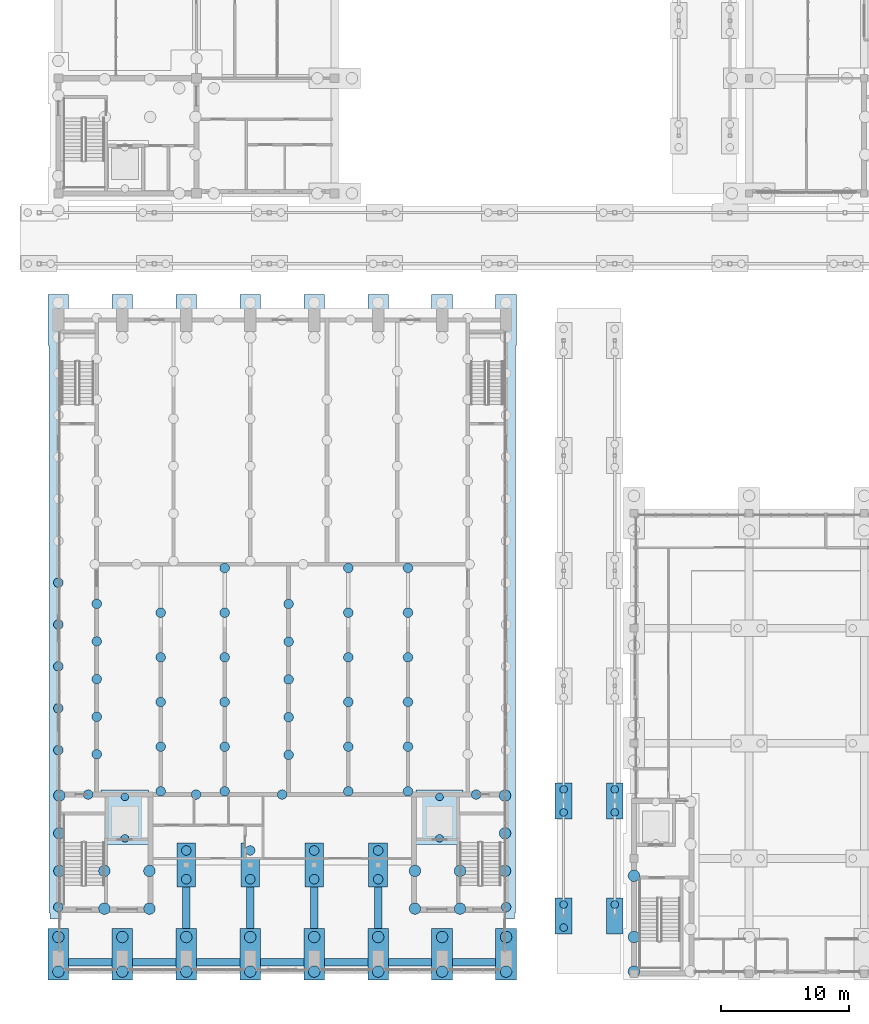
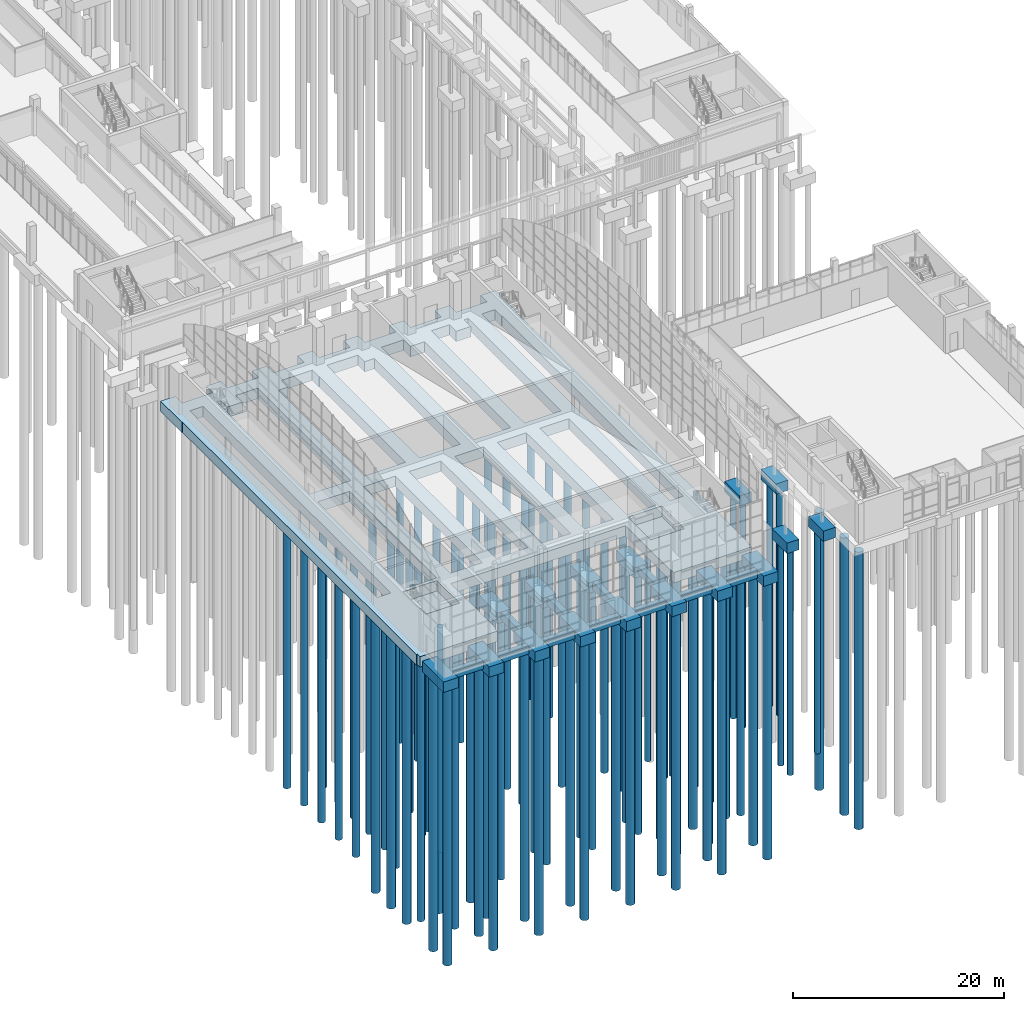
# One storey, part 1 of 106: 96 piles, 30 footings.
"""IFC4 building model written with IfcOpenShell, lengths in metres."""

from ifc_helpers import new_model, si_unit, direction, frame, origin, origin_2d, place, context, subcontext, project, spatial, polyline, circle, outline, extrude, material, material_profile, profile_set, type_object, element, save


model = new_model("IFC4")

# Units and contexts
model_context = context("Model", 3, precision=1e-05, world=origin(), true_north=direction((0.0, 1.0)))
body_context = subcontext(model_context, "Body", "Model", "MODEL_VIEW")
ifc_project = project(units=[si_unit("LENGTHUNIT", "METRE"), si_unit("AREAUNIT", "SQUARE_METRE"), si_unit("VOLUMEUNIT", "CUBIC_METRE"), si_unit("PLANEANGLEUNIT", "RADIAN"), si_unit("MASSUNIT", "GRAM", prefix="KILO")], contexts=[model_context])

# Site, building, storey
site_placement = place(None, origin())
site = spatial("IfcSite", under=ifc_project, at=site_placement, CompositionType="ELEMENT")
building_placement = place(site_placement, origin())
building = spatial("IfcBuilding", under=site, at=building_placement, Name="Merrow Basin Faculty of Sciences", CompositionType="ELEMENT")
storey_placement = place(building_placement, origin())
storey = spatial("IfcBuildingStorey", under=building, at=storey_placement, Name="L00", CompositionType="ELEMENT", Elevation=0.0)

# Piles
ifc_material_1 = material(Name="Concrete C40/50", Category="concrete")
ifc_material_profile_1 = material_profile(ifc_material_1, circle(Radius=0.300048828125, at=origin_2d()))
ifc_profile_set_1 = profile_set([ifc_material_profile_1], Name="Concrete C40/50")
pile_type_1 = type_object("IfcPileType", Name="Bored pile 600 Concrete C40/50", PredefinedType="BORED", material=ifc_profile_set_1)
for number, where, z_axis, x_axis, name in (
    (1, (39.5, 3.60009765625, -1.39990234375), (0.0, 0.0, -1.0), (1.0, 0.0, 0.0), "BP 309"),
    (2, (39.5, 5.39990234375, -1.39990234375), (0.0, 0.0, -1.0), (1.0, 0.0, 0.0), "BP 310"),
    (3, (39.5, 12.60009765625, -1.39990234375), (0.0, 0.0, -1.0), (1.0, 0.0, 0.0), "BP 311"),
    (4, (39.5, 14.39990234375, -1.39990234375), (0.0, 0.0, -1.0), (1.0, 0.0, 0.0), "BP 312"),
    (5, (43.5, 5.39990234375, -1.39990234375), (0.0, 0.0, -1.0), (1.0, 0.0, 0.0), "BP 327"),
    (6, (43.5, 12.60009765625, -1.39990234375), (0.0, 0.0, -1.0), (1.0, 0.0, 0.0), "BP 328"),
    (7, (43.5, 14.39990234375, -1.39990234375), (0.0, 0.0, -1.0), (1.0, 0.0, 0.0), "BP 329"),
    (8, (5.199951171875, 10.580078125, -2.60009765625), (0.0, 0.0, -1.0), (1.0, 0.0, 0.0), "BP pit 516"),
    (9, (5.199951171875, 13.820068359375, -2.60009765625), (0.0, 0.0, -1.0), (1.0, 0.0, 0.0), "BP pit 517"),
    (10, (29.800048828125, 10.580078125, -2.60009765625), (0.0, 0.0, -1.0), (1.0, 0.0, 0.0), "BP pit 522"),
    (11, (29.800048828125, 13.820068359375, -2.60009765625), (0.0, 0.0, -1.0), (1.0, 0.0, 0.0), "BP pit 523"),
):
    element("IfcPile", number, at=place(storey_placement, frame(where, z_axis=z_axis, x_axis=x_axis)), inside=storey, type_object=pile_type_1, Name=name, PredefinedType="BORED", context=body_context, shape_type="SweptSolid", body=[
        extrude(circle(Radius=0.300048828125, at=origin_2d()), origin(), (0.0, 0.0, 1.0), 26.10009765625),
    ])
ifc_material_2 = material(Name="Concrete C40/50", Category="concrete")
ifc_material_profile_2 = material_profile(ifc_material_2, circle(Radius=0.375, at=origin_2d()))
ifc_profile_set_2 = profile_set([ifc_material_profile_2], Name="Concrete C40/50")
pile_type_2 = type_object("IfcPileType", Name="Bored pile 750 Concrete C40/50", PredefinedType="BORED", material=ifc_profile_set_2)
for number, where, z_axis, x_axis, name in (
    (12, (0.0, 5.199951171875, -1.39990234375), (0.0, 0.0, -1.0), (1.0, 0.0, 0.0), "BP 010"),
    (13, (0.0, 17.472900390625, -1.39990234375), (0.0, 0.0, -1.0), (1.0, 0.0, 0.0), "BP 011"),
    (14, (0.0, 20.7451171875, -1.39990234375), (0.0, 0.0, -1.0), (1.0, 0.0, 0.0), "BP 012"),
    (15, (0.0, 24.01806640625, -1.39990234375), (0.0, 0.0, -1.0), (1.0, 0.0, 0.0), "BP 013"),
    (16, (0.0, 27.291015625, -1.39990234375), (0.0, 0.0, -1.0), (1.0, 0.0, 0.0), "BP 014"),
    (17, (0.0, 30.56396484375, -1.39990234375), (0.0, 0.0, -1.0), (1.0, 0.0, 0.0), "BP 015"),
    (18, (2.3330078125, 14.0, -1.39990234375), (0.0, 0.0, -1.0), (1.0, 0.0, 0.0), "BP 044"),
    (19, (3.0, 17.14208984375, -1.39990234375), (0.0, 0.0, -1.0), (1.0, 0.0, 0.0), "BP 046"),
    (20, (3.0, 20.0830078125, -1.39990234375), (0.0, 0.0, -1.0), (1.0, 0.0, 0.0), "BP 047"),
    (21, (3.0, 23.02490234375, -1.39990234375), (0.0, 0.0, -1.0), (1.0, 0.0, 0.0), "BP 048"),
    (22, (3.0, 25.967041015625, -1.39990234375), (0.0, 0.0, -1.0), (1.0, 0.0, 0.0), "BP 049"),
    (23, (3.0, 28.907958984375, -1.39990234375), (0.0, 0.0, -1.0), (1.0, 0.0, 0.0), "BP 050"),
    (24, (8.0, 14.25, -1.39990234375), (0.0, 0.0, -1.0), (1.0, 0.0, 0.0), "BP 073"),
    (25, (8.0, 17.741943359375, -1.39990234375), (0.0, 0.0, -1.0), (1.0, 0.0, 0.0), "BP 074"),
    (26, (8.0, 21.235107421875, -1.39990234375), (0.0, 0.0, -1.0), (1.0, 0.0, 0.0), "BP 075"),
    (27, (8.0, 24.72705078125, -1.39990234375), (0.0, 0.0, -1.0), (1.0, 0.0, 0.0), "BP 076"),
    (28, (8.0, 28.219970703125, -1.39990234375), (0.0, 0.0, -1.0), (1.0, 0.0, 0.0), "BP 077"),
    (29, (10.0, 7.375, -1.39990234375), (0.0, 0.0, -1.0), (1.0, 0.0, 0.0), "BP 095"),
    (30, (10.0, 9.625, -1.39990234375), (0.0, 0.0, -1.0), (1.0, 0.0, 0.0), "BP 096"),
    (31, (10.76708984375, 14.0, -1.39990234375), (0.0, 0.0, -1.0), (1.0, 0.0, 0.0), "BP 101"),
    (32, (13.0, 14.25, -1.39990234375), (0.0, 0.0, -1.0), (1.0, 0.0, 0.0), "BP 120"),
    (33, (13.0, 17.741943359375, -1.39990234375), (0.0, 0.0, -1.0), (1.0, 0.0, 0.0), "BP 121"),
    (34, (13.0, 21.235107421875, -1.39990234375), (0.0, 0.0, -1.0), (1.0, 0.0, 0.0), "BP 122"),
    (35, (13.0, 24.72705078125, -1.39990234375), (0.0, 0.0, -1.0), (1.0, 0.0, 0.0), "BP 123"),
    (36, (13.0, 28.219970703125, -1.39990234375), (0.0, 0.0, -1.0), (1.0, 0.0, 0.0), "BP 124"),
    (37, (13.0, 31.7119140625, -1.39990234375), (0.0, 0.0, -1.0), (1.0, 0.0, 0.0), "BP 125"),
    (38, (15.0, 7.375, -1.39990234375), (0.0, 0.0, -1.0), (1.0, 0.0, 0.0), "BP 132"),
    (39, (15.0, 9.625, -1.39990234375), (0.0, 0.0, -1.0), (1.0, 0.0, 0.0), "BP 133"),
    (40, (17.5, 14.0, -1.39990234375), (0.0, 0.0, -1.0), (1.0, 0.0, 0.0), "BP 149"),
    (41, (18.0, 17.10009765625, -1.39990234375), (0.0, 0.0, -1.0), (1.0, 0.0, 0.0), "BP 157"),
    (42, (18.0, 20.050048828125, -1.39990234375), (0.0, 0.0, -1.0), (1.0, 0.0, 0.0), "BP 158"),
    (43, (18.0, 23.0, -1.39990234375), (0.0, 0.0, -1.0), (1.0, 0.0, 0.0), "BP 159"),
    (44, (18.0, 25.949951171875, -1.39990234375), (0.0, 0.0, -1.0), (1.0, 0.0, 0.0), "BP 160"),
    (45, (18.0, 28.89990234375, -1.39990234375), (0.0, 0.0, -1.0), (1.0, 0.0, 0.0), "BP 161"),
    (46, (20.0, 7.375, -1.39990234375), (0.0, 0.0, -1.0), (1.0, 0.0, 0.0), "BP 170"),
    (47, (20.0, 9.625, -1.39990234375), (0.0, 0.0, -1.0), (1.0, 0.0, 0.0), "BP 171"),
    (48, (22.6669921875, 14.25, -1.39990234375), (0.0, 0.0, -1.0), (1.0, 0.0, 0.0), "BP 192"),
    (49, (22.6669921875, 17.741943359375, -1.39990234375), (0.0, 0.0, -1.0), (1.0, 0.0, 0.0), "BP 193"),
    (50, (22.6669921875, 21.235107421875, -1.39990234375), (0.0, 0.0, -1.0), (1.0, 0.0, 0.0), "BP 194"),
    (51, (22.6669921875, 24.72705078125, -1.39990234375), (0.0, 0.0, -1.0), (1.0, 0.0, 0.0), "BP 195"),
    (52, (22.6669921875, 28.219970703125, -1.39990234375), (0.0, 0.0, -1.0), (1.0, 0.0, 0.0), "BP 196"),
    (53, (22.6669921875, 31.7119140625, -1.39990234375), (0.0, 0.0, -1.0), (1.0, 0.0, 0.0), "BP 197"),
    (54, (25.0, 7.375, -1.39990234375), (0.0, 0.0, -1.0), (1.0, 0.0, 0.0), "BP 211"),
    (55, (25.0, 9.625, -1.39990234375), (0.0, 0.0, -1.0), (1.0, 0.0, 0.0), "BP 212"),
    (56, (27.3330078125, 14.25, -1.39990234375), (0.0, 0.0, -1.0), (1.0, 0.0, 0.0), "BP 233"),
    (57, (27.3330078125, 17.741943359375, -1.39990234375), (0.0, 0.0, -1.0), (1.0, 0.0, 0.0), "BP 234"),
    (58, (27.3330078125, 21.235107421875, -1.39990234375), (0.0, 0.0, -1.0), (1.0, 0.0, 0.0), "BP 235"),
    (59, (27.3330078125, 24.72705078125, -1.39990234375), (0.0, 0.0, -1.0), (1.0, 0.0, 0.0), "BP 236"),
    (60, (27.3330078125, 28.219970703125, -1.39990234375), (0.0, 0.0, -1.0), (1.0, 0.0, 0.0), "BP 237"),
    (61, (27.3330078125, 31.7119140625, -1.39990234375), (0.0, 0.0, -1.0), (1.0, 0.0, 0.0), "BP 238"),
    (62, (32.6669921875, 14.0, -1.39990234375), (0.0, 0.0, -1.0), (1.0, 0.0, 0.0), "BP 268"),
    (63, (35.0, 5.199951171875, -1.39990234375), (0.0, 0.0, -1.0), (1.0, 0.0, 0.0), "BP 283"),
):
    element("IfcPile", number, at=place(storey_placement, frame(where, z_axis=z_axis, x_axis=x_axis)), inside=storey, type_object=pile_type_2, Name=name, PredefinedType="BORED", context=body_context, shape_type="SweptSolid", body=[
        extrude(circle(Radius=0.375, at=origin_2d()), origin(), (0.0, 0.0, 1.0), 30.10009765625),
    ])
ifc_material_3 = material(Name="Concrete C40/50", Category="concrete")
ifc_material_profile_3 = material_profile(ifc_material_3, circle(Radius=0.449951171875, at=origin_2d()))
ifc_profile_set_3 = profile_set([ifc_material_profile_3], Name="Concrete C40/50")
pile_type_3 = type_object("IfcPileType", Name="Bored pile 900 Concrete C40/50", PredefinedType="BORED", material=ifc_profile_set_3)
for number, where, z_axis, x_axis, name in (
    (64, (0.0, 0.159912109375, -1.39990234375), (0.0, 0.0, -1.0), (1.0, 0.0, 0.0), "BP 008"),
    (65, (0.0, 2.860107421875, -1.39990234375), (0.0, 0.0, -1.0), (1.0, 0.0, 0.0), "BP 009"),
    (66, (0.080078125, 8.027099609375, -1.39990234375), (0.0, 0.0, -1.0), (1.0, 0.0, 0.0), "BP 041"),
    (67, (0.080078125, 10.972900390625, -1.39990234375), (0.0, 0.0, -1.0), (1.0, 0.0, 0.0), "BP 042"),
    (68, (0.080078125, 13.919921875, -1.39990234375), (0.0, 0.0, -1.0), (1.0, 0.0, 0.0), "BP 043"),
    (69, (3.60009765625, 5.080078125, -1.39990234375), (0.0, 0.0, -1.0), (1.0, 0.0, 0.0), "BP 057"),
    (70, (3.60009765625, 8.027099609375, -1.39990234375), (0.0, 0.0, -1.0), (1.0, 0.0, 0.0), "BP 058"),
    (71, (5.0, 0.159912109375, -1.39990234375), (0.0, 0.0, -1.0), (1.0, 0.0, 0.0), "BP 061"),
    (72, (5.0, 2.860107421875, -1.39990234375), (0.0, 0.0, -1.0), (1.0, 0.0, 0.0), "BP 062"),
    (73, (7.1201171875, 5.080078125, -1.39990234375), (0.0, 0.0, -1.0), (1.0, 0.0, 0.0), "BP 068"),
    (74, (7.1201171875, 8.027099609375, -1.39990234375), (0.0, 0.0, -1.0), (1.0, 0.0, 0.0), "BP 069"),
    (75, (10.0, 0.159912109375, -1.39990234375), (0.0, 0.0, -1.0), (1.0, 0.0, 0.0), "BP 093"),
    (76, (10.0, 2.860107421875, -1.39990234375), (0.0, 0.0, -1.0), (1.0, 0.0, 0.0), "BP 094"),
    (77, (15.0, 0.159912109375, -1.39990234375), (0.0, 0.0, -1.0), (1.0, 0.0, 0.0), "BP 130"),
    (78, (15.0, 2.860107421875, -1.39990234375), (0.0, 0.0, -1.0), (1.0, 0.0, 0.0), "BP 131"),
    (79, (20.0, 0.159912109375, -1.39990234375), (0.0, 0.0, -1.0), (1.0, 0.0, 0.0), "BP 168"),
    (80, (20.0, 2.860107421875, -1.39990234375), (0.0, 0.0, -1.0), (1.0, 0.0, 0.0), "BP 169"),
    (81, (25.0, 0.159912109375, -1.39990234375), (0.0, 0.0, -1.0), (1.0, 0.0, 0.0), "BP 209"),
    (82, (25.0, 2.860107421875, -1.39990234375), (0.0, 0.0, -1.0), (1.0, 0.0, 0.0), "BP 210"),
    (83, (27.8798828125, 5.080078125, -1.39990234375), (0.0, 0.0, -1.0), (1.0, 0.0, 0.0), "BP 240"),
    (84, (27.8798828125, 8.027099609375, -1.39990234375), (0.0, 0.0, -1.0), (1.0, 0.0, 0.0), "BP 241"),
    (85, (30.0, 0.159912109375, -1.39990234375), (0.0, 0.0, -1.0), (1.0, 0.0, 0.0), "BP 249"),
    (86, (30.0, 2.860107421875, -1.39990234375), (0.0, 0.0, -1.0), (1.0, 0.0, 0.0), "BP 250"),
    (87, (31.39990234375, 5.080078125, -1.39990234375), (0.0, 0.0, -1.0), (1.0, 0.0, 0.0), "BP 254"),
    (88, (31.39990234375, 8.027099609375, -1.39990234375), (0.0, 0.0, -1.0), (1.0, 0.0, 0.0), "BP 255"),
    (89, (34.919921875, 8.027099609375, -1.39990234375), (0.0, 0.0, -1.0), (1.0, 0.0, 0.0), "BP 278"),
    (90, (34.919921875, 10.972900390625, -1.39990234375), (0.0, 0.0, -1.0), (1.0, 0.0, 0.0), "BP 279"),
    (91, (34.919921875, 13.919921875, -1.39990234375), (0.0, 0.0, -1.0), (1.0, 0.0, 0.0), "BP 280"),
    (92, (35.0, 0.159912109375, -1.39990234375), (0.0, 0.0, -1.0), (1.0, 0.0, 0.0), "BP 281"),
    (93, (35.0, 2.860107421875, -1.39990234375), (0.0, 0.0, -1.0), (1.0, 0.0, 0.0), "BP 282"),
    (94, (45.0, 0.159912109375, -1.39990234375), (0.0, 0.0, -1.0), (1.0, 0.0, 0.0), "BP 343"),
    (95, (45.0, 2.860107421875, -1.39990234375), (0.0, 0.0, -1.0), (1.0, 0.0, 0.0), "BP 344"),
    (96, (45.0, 7.64990234375, -1.39990234375), (0.0, 0.0, -1.0), (1.0, 0.0, 0.0), "BP 345"),
):
    element("IfcPile", number, at=place(storey_placement, frame(where, z_axis=z_axis, x_axis=x_axis)), inside=storey, type_object=pile_type_3, Name=name, PredefinedType="BORED", context=body_context, shape_type="SweptSolid", body=[
        extrude(circle(Radius=0.449951171875, at=origin_2d()), origin(), (0.0, 0.0, 1.0), 32.10009765625),
    ])

# Footings
ifc_material_4 = material(Name="Concrete C40/50", Category="concrete")
footing_type_1 = type_object("IfcFootingType", Name="Ground beam 600x900 Concrete C40/50", PredefinedType="FOOTING_BEAM", material=ifc_material_4)
footing_1_placement = place(storey_placement, frame((0.0, 0.0, -1.199951171875)))
element("IfcFooting", 97, at=footing_1_placement, inside=storey, type_object=footing_type_1, Name="GB 122", PredefinedType="FOOTING_BEAM", context=body_context, shape_type="SweptSolid", body=[
    extrude(outline(polyline([(0.81005859375, 0.60009765625), (4.18994140625, 0.60009765625), (4.18994140625, 1.199951171875), (0.81005859375, 1.199951171875), (0.81005859375, 0.60009765625)])), origin(), (0.0, 0.0, 1.0), 0.89990234375),
])
footing_2_placement = place(storey_placement, frame((0.0, 0.0, -1.199951171875)))
element("IfcFooting", 98, at=footing_2_placement, inside=storey, type_object=footing_type_1, Name="GB 123", PredefinedType="FOOTING_BEAM", context=body_context, shape_type="SweptSolid", body=[
    extrude(outline(polyline([(5.81005859375, 0.60009765625), (9.18994140625, 0.60009765625), (9.18994140625, 1.199951171875), (5.81005859375, 1.199951171875), (5.81005859375, 0.60009765625)])), origin(), (0.0, 0.0, 1.0), 0.89990234375),
])
footing_3_placement = place(storey_placement, frame((0.0, 0.0, -1.199951171875)))
element("IfcFooting", 99, at=footing_3_placement, inside=storey, type_object=footing_type_1, Name="GB 124", PredefinedType="FOOTING_BEAM", context=body_context, shape_type="SweptSolid", body=[
    extrude(outline(polyline([(10.81005859375, 0.60009765625), (14.18994140625, 0.60009765625), (14.18994140625, 1.199951171875), (10.81005859375, 1.199951171875), (10.81005859375, 0.60009765625)])), origin(), (0.0, 0.0, 1.0), 0.89990234375),
])
footing_4_placement = place(storey_placement, frame((0.0, 0.0, -1.199951171875)))
element("IfcFooting", 100, at=footing_4_placement, inside=storey, type_object=footing_type_1, Name="GB 125", PredefinedType="FOOTING_BEAM", context=body_context, shape_type="SweptSolid", body=[
    extrude(outline(polyline([(15.81005859375, 0.60009765625), (19.18994140625, 0.60009765625), (19.18994140625, 1.199951171875), (15.81005859375, 1.199951171875), (15.81005859375, 0.60009765625)])), origin(), (0.0, 0.0, 1.0), 0.89990234375),
])
footing_5_placement = place(storey_placement, frame((0.0, 0.0, -1.199951171875)))
element("IfcFooting", 101, at=footing_5_placement, inside=storey, type_object=footing_type_1, Name="GB 126", PredefinedType="FOOTING_BEAM", context=body_context, shape_type="SweptSolid", body=[
    extrude(outline(polyline([(20.81005859375, 0.60009765625), (24.18994140625, 0.60009765625), (24.18994140625, 1.199951171875), (20.81005859375, 1.199951171875), (20.81005859375, 0.60009765625)])), origin(), (0.0, 0.0, 1.0), 0.89990234375),
])
footing_6_placement = place(storey_placement, frame((0.0, 0.0, -1.199951171875)))
element("IfcFooting", 102, at=footing_6_placement, inside=storey, type_object=footing_type_1, Name="GB 127", PredefinedType="FOOTING_BEAM", context=body_context, shape_type="SweptSolid", body=[
    extrude(outline(polyline([(25.81005859375, 0.60009765625), (29.18994140625, 0.60009765625), (29.18994140625, 1.199951171875), (25.81005859375, 1.199951171875), (25.81005859375, 0.60009765625)])), origin(), (0.0, 0.0, 1.0), 0.89990234375),
])
footing_7_placement = place(storey_placement, frame((0.0, 0.0, -1.199951171875)))
element("IfcFooting", 103, at=footing_7_placement, inside=storey, type_object=footing_type_1, Name="GB 128", PredefinedType="FOOTING_BEAM", context=body_context, shape_type="SweptSolid", body=[
    extrude(outline(polyline([(30.81005859375, 0.60009765625), (34.18994140625, 0.60009765625), (34.18994140625, 1.199951171875), (30.81005859375, 1.199951171875), (30.81005859375, 0.60009765625)])), origin(), (0.0, 0.0, 1.0), 0.89990234375),
])
footing_8_placement = place(storey_placement, frame((0.0, 0.0, -1.199951171875)))
element("IfcFooting", 104, at=footing_8_placement, inside=storey, type_object=footing_type_1, Name="GB 129", PredefinedType="FOOTING_BEAM", context=body_context, shape_type="SweptSolid", body=[
    extrude(outline(polyline([(9.699951171875, 3.52001953125), (10.300048828125, 3.52001953125), (10.300048828125, 6.7900390625), (9.699951171875, 6.7900390625), (9.699951171875, 3.52001953125)])), origin(), (0.0, 0.0, 1.0), 0.89990234375),
])
footing_9_placement = place(storey_placement, frame((0.0, 0.0, -1.199951171875)))
element("IfcFooting", 105, at=footing_9_placement, inside=storey, type_object=footing_type_1, Name="GB 130", PredefinedType="FOOTING_BEAM", context=body_context, shape_type="SweptSolid", body=[
    extrude(outline(polyline([(14.699951171875, 3.52001953125), (15.300048828125, 3.52001953125), (15.300048828125, 6.7900390625), (14.699951171875, 6.7900390625), (14.699951171875, 3.52001953125)])), origin(), (0.0, 0.0, 1.0), 0.89990234375),
])
footing_10_placement = place(storey_placement, frame((0.0, 0.0, -1.199951171875)))
element("IfcFooting", 106, at=footing_10_placement, inside=storey, type_object=footing_type_1, Name="GB 131", PredefinedType="FOOTING_BEAM", context=body_context, shape_type="SweptSolid", body=[
    extrude(outline(polyline([(19.699951171875, 3.52001953125), (20.300048828125, 3.52001953125), (20.300048828125, 6.7900390625), (19.699951171875, 6.7900390625), (19.699951171875, 3.52001953125)])), origin(), (0.0, 0.0, 1.0), 0.89990234375),
])
footing_11_placement = place(storey_placement, frame((0.0, 0.0, -1.199951171875)))
element("IfcFooting", 107, at=footing_11_placement, inside=storey, type_object=footing_type_1, Name="GB 132", PredefinedType="FOOTING_BEAM", context=body_context, shape_type="SweptSolid", body=[
    extrude(outline(polyline([(24.699951171875, 3.52001953125), (25.300048828125, 3.52001953125), (25.300048828125, 6.7900390625), (24.699951171875, 6.7900390625), (24.699951171875, 3.52001953125)])), origin(), (0.0, 0.0, 1.0), 0.89990234375),
])
ifc_material_5 = material(Name="Concrete C40/50", Category="concrete")
footing_type_2 = type_object("IfcFootingType", Name="Lift pit raft 3700x4300 Concrete C40/50", PredefinedType="PILE_CAP", material=ifc_material_5)
footing_12_placement = place(storey_placement, frame((0.0, 0.0, -2.699951171875)))
element("IfcFooting", 108, at=footing_12_placement, inside=storey, type_object=footing_type_2, Name="Lift pit raft 1", PredefinedType="PILE_CAP", context=body_context, shape_type="SweptSolid", body=[
    extrude(outline(polyline([(7.050048828125, 10.050048828125), (3.35009765625, 10.050048828125), (3.35009765625, 14.35009765625), (7.050048828125, 14.35009765625), (7.050048828125, 10.050048828125)])), origin(), (0.0, 0.0, 1.0), 1.199951171875),
])
footing_13_placement = place(storey_placement, frame((0.0, 0.0, -2.699951171875)))
element("IfcFooting", 109, at=footing_13_placement, inside=storey, type_object=footing_type_2, Name="Lift pit raft 4", PredefinedType="PILE_CAP", context=body_context, shape_type="SweptSolid", body=[
    extrude(outline(polyline([(31.64990234375, 10.050048828125), (27.949951171875, 10.050048828125), (27.949951171875, 14.35009765625), (31.64990234375, 14.35009765625), (31.64990234375, 10.050048828125)])), origin(), (0.0, 0.0, 1.0), 1.199951171875),
])
ifc_material_6 = material(Name="Concrete C40/50", Category="concrete")
footing_type_3 = type_object("IfcFootingType", Name="Pile cap 1 piles 1320x2820 Concrete C40/50", PredefinedType="PILE_CAP", material=ifc_material_6)
footing_14_placement = place(storey_placement, frame((0.0, 0.0, -1.5)))
element("IfcFooting", 110, at=footing_14_placement, inside=storey, type_object=footing_type_3, Name="PC17 067", PredefinedType="PILE_CAP", context=body_context, shape_type="SweptSolid", body=[
    extrude(outline(polyline([(42.840087890625, 5.909912109375), (44.159912109375, 5.909912109375), (44.159912109375, 3.090087890625), (42.840087890625, 3.090087890625), (42.840087890625, 5.909912109375)])), origin(), (0.0, 0.0, 1.0), 1.199951171875),
])
ifc_material_7 = material(Name="Concrete C40/50", Category="concrete")
footing_type_4 = type_object("IfcFootingType", Name="Pile cap 2 piles 1320x2820 Concrete C40/50", PredefinedType="PILE_CAP", material=ifc_material_7)
footing_15_placement = place(storey_placement, frame((0.0, 0.0, -1.5)))
element("IfcFooting", 111, at=footing_15_placement, inside=storey, type_object=footing_type_4, Name="PC3 057", PredefinedType="PILE_CAP", context=body_context, shape_type="SweptSolid", body=[
    extrude(outline(polyline([(38.840087890625, 5.909912109375), (40.159912109375, 5.909912109375), (40.159912109375, 3.090087890625), (38.840087890625, 3.090087890625), (38.840087890625, 5.909912109375)])), origin(), (0.0, 0.0, 1.0), 1.199951171875),
])
footing_16_placement = place(storey_placement, frame((0.0, 0.0, -1.5)))
element("IfcFooting", 112, at=footing_16_placement, inside=storey, type_object=footing_type_4, Name="PC3 058", PredefinedType="PILE_CAP", context=body_context, shape_type="SweptSolid", body=[
    extrude(outline(polyline([(38.840087890625, 14.909912109375), (40.159912109375, 14.909912109375), (40.159912109375, 12.090087890625), (38.840087890625, 12.090087890625), (38.840087890625, 14.909912109375)])), origin(), (0.0, 0.0, 1.0), 1.199951171875),
])
footing_17_placement = place(storey_placement, frame((0.0, 0.0, -1.5)))
element("IfcFooting", 113, at=footing_17_placement, inside=storey, type_object=footing_type_4, Name="PC3 068", PredefinedType="PILE_CAP", context=body_context, shape_type="SweptSolid", body=[
    extrude(outline(polyline([(42.840087890625, 14.909912109375), (44.159912109375, 14.909912109375), (44.159912109375, 12.090087890625), (42.840087890625, 12.090087890625), (42.840087890625, 14.909912109375)])), origin(), (0.0, 0.0, 1.0), 1.199951171875),
])
ifc_material_8 = material(Name="Concrete C40/50", Category="concrete")
footing_type_5 = type_object("IfcFootingType", Name="Pile cap 2 piles 1470x3420 Concrete C40/50", PredefinedType="PILE_CAP", material=ifc_material_8)
footing_18_placement = place(storey_placement, frame((0.0, 0.0, -1.5)))
element("IfcFooting", 114, at=footing_18_placement, inside=storey, type_object=footing_type_5, Name="PC9 024", PredefinedType="PILE_CAP", context=body_context, shape_type="SweptSolid", body=[
    extrude(outline(polyline([(9.264892578125, 10.2099609375), (10.735107421875, 10.2099609375), (10.735107421875, 6.7900390625), (9.264892578125, 6.7900390625), (9.264892578125, 10.2099609375)])), origin(), (0.0, 0.0, 1.0), 1.199951171875),
])
footing_19_placement = place(storey_placement, frame((0.0, 0.0, -1.5)))
element("IfcFooting", 115, at=footing_19_placement, inside=storey, type_object=footing_type_5, Name="PC9 027", PredefinedType="PILE_CAP", context=body_context, shape_type="SweptSolid", body=[
    extrude(outline(polyline([(14.264892578125, 10.2099609375), (15.735107421875, 10.2099609375), (15.735107421875, 6.7900390625), (14.264892578125, 6.7900390625), (14.264892578125, 10.2099609375)])), origin(), (0.0, 0.0, 1.0), 1.199951171875),
])
footing_20_placement = place(storey_placement, frame((0.0, 0.0, -1.5)))
element("IfcFooting", 116, at=footing_20_placement, inside=storey, type_object=footing_type_5, Name="PC9 034", PredefinedType="PILE_CAP", context=body_context, shape_type="SweptSolid", body=[
    extrude(outline(polyline([(19.264892578125, 6.7900390625), (19.264892578125, 10.2099609375), (20.735107421875, 10.2099609375), (20.735107421875, 6.7900390625), (19.264892578125, 6.7900390625)])), origin(), (0.0, 0.0, 1.0), 1.199951171875),
])
footing_21_placement = place(storey_placement, frame((0.0, 0.0, -1.5)))
element("IfcFooting", 117, at=footing_21_placement, inside=storey, type_object=footing_type_5, Name="PC9 043", PredefinedType="PILE_CAP", context=body_context, shape_type="SweptSolid", body=[
    extrude(outline(polyline([(24.264892578125, 10.2099609375), (25.735107421875, 10.2099609375), (25.735107421875, 6.7900390625), (24.264892578125, 6.7900390625), (24.264892578125, 10.2099609375)])), origin(), (0.0, 0.0, 1.0), 1.199951171875),
])
ifc_material_9 = material(Name="Concrete C40/50", Category="concrete")
footing_type_6 = type_object("IfcFootingType", Name="Pile cap 2 piles 1620x4020 Concrete C40/50", PredefinedType="PILE_CAP", material=ifc_material_9)
footing_22_placement = place(storey_placement, frame((0.0, 0.0, -1.5)))
element("IfcFooting", 118, at=footing_22_placement, inside=storey, type_object=footing_type_6, Name="PC4 005", PredefinedType="PILE_CAP", context=body_context, shape_type="SweptSolid", body=[
    extrude(outline(polyline([(0.81005859375, 3.52001953125), (0.81005859375, -0.5), (-0.81005859375, -0.5), (-0.81005859375, 3.52001953125), (0.81005859375, 3.52001953125)])), origin(), (0.0, 0.0, 1.0), 1.199951171875),
])
footing_23_placement = place(storey_placement, frame((0.0, 0.0, -1.5)))
element("IfcFooting", 119, at=footing_23_placement, inside=storey, type_object=footing_type_6, Name="PC4 014", PredefinedType="PILE_CAP", context=body_context, shape_type="SweptSolid", body=[
    extrude(outline(polyline([(5.81005859375, 3.52001953125), (5.81005859375, -0.5), (4.18994140625, -0.5), (4.18994140625, 3.52001953125), (5.81005859375, 3.52001953125)])), origin(), (0.0, 0.0, 1.0), 1.199951171875),
])
footing_24_placement = place(storey_placement, frame((0.0, 0.0, -1.5)))
element("IfcFooting", 120, at=footing_24_placement, inside=storey, type_object=footing_type_6, Name="PC4 023", PredefinedType="PILE_CAP", context=body_context, shape_type="SweptSolid", body=[
    extrude(outline(polyline([(9.18994140625, 3.52001953125), (10.81005859375, 3.52001953125), (10.81005859375, -0.5), (9.18994140625, -0.5), (9.18994140625, 3.52001953125)])), origin(), (0.0, 0.0, 1.0), 1.199951171875),
])
footing_25_placement = place(storey_placement, frame((0.0, 0.0, -1.5)))
element("IfcFooting", 121, at=footing_25_placement, inside=storey, type_object=footing_type_6, Name="PC4 026", PredefinedType="PILE_CAP", context=body_context, shape_type="SweptSolid", body=[
    extrude(outline(polyline([(15.81005859375, 3.52001953125), (15.81005859375, -0.5), (14.18994140625, -0.5), (14.18994140625, 3.52001953125), (15.81005859375, 3.52001953125)])), origin(), (0.0, 0.0, 1.0), 1.199951171875),
])
footing_26_placement = place(storey_placement, frame((0.0, 0.0, -1.5)))
element("IfcFooting", 122, at=footing_26_placement, inside=storey, type_object=footing_type_6, Name="PC4 033", PredefinedType="PILE_CAP", context=body_context, shape_type="SweptSolid", body=[
    extrude(outline(polyline([(20.81005859375, 3.52001953125), (20.81005859375, -0.5), (19.18994140625, -0.5), (19.18994140625, 3.52001953125), (20.81005859375, 3.52001953125)])), origin(), (0.0, 0.0, 1.0), 1.199951171875),
])
footing_27_placement = place(storey_placement, frame((0.0, 0.0, -1.5)))
element("IfcFooting", 123, at=footing_27_placement, inside=storey, type_object=footing_type_6, Name="PC4 042", PredefinedType="PILE_CAP", context=body_context, shape_type="SweptSolid", body=[
    extrude(outline(polyline([(25.81005859375, 3.52001953125), (25.81005859375, -0.5), (24.18994140625, -0.5), (24.18994140625, 3.52001953125), (25.81005859375, 3.52001953125)])), origin(), (0.0, 0.0, 1.0), 1.199951171875),
])
footing_28_placement = place(storey_placement, frame((0.0, 0.0, -1.5)))
element("IfcFooting", 124, at=footing_28_placement, inside=storey, type_object=footing_type_6, Name="PC4 048", PredefinedType="PILE_CAP", context=body_context, shape_type="SweptSolid", body=[
    extrude(outline(polyline([(30.81005859375, 3.52001953125), (30.81005859375, -0.5), (29.18994140625, -0.5), (29.18994140625, 3.52001953125), (30.81005859375, 3.52001953125)])), origin(), (0.0, 0.0, 1.0), 1.199951171875),
])
footing_29_placement = place(storey_placement, frame((0.0, 0.0, -1.5)))
element("IfcFooting", 125, at=footing_29_placement, inside=storey, type_object=footing_type_6, Name="PC4 056", PredefinedType="PILE_CAP", context=body_context, shape_type="SweptSolid", body=[
    extrude(outline(polyline([(35.81005859375, 3.52001953125), (35.81005859375, -0.5), (34.18994140625, -0.5), (34.18994140625, 3.52001953125), (35.81005859375, 3.52001953125)])), origin(), (0.0, 0.0, 1.0), 1.199951171875),
])
ifc_material_10 = material(Name="Concrete C40/50", Category="concrete")
footing_type_7 = type_object("IfcFootingType", Name="Pile raft 06 Concrete C40/50", PredefinedType="PILE_CAP", material=ifc_material_10)
footing_30_placement = place(storey_placement, frame((0.0, 0.0, -1.5)))
element("IfcFooting", 126, at=footing_30_placement, inside=storey, type_object=footing_type_7, Name="PC5 006", PredefinedType="PILE_CAP", context=body_context, shape_type="SweptSolid", body=[
    extrude(outline(polyline([(-0.75, 4.75), (-0.75, 13.75), (-0.75, 14.25), (-0.75, 49.090087890625), (-0.81005859375, 49.090087890625), (-0.81005859375, 53.110107421875), (0.81005859375, 53.110107421875), (0.81005859375, 51.85009765625), (2.699951171875, 51.85009765625), (3.300048828125, 51.85009765625), (4.18994140625, 51.85009765625), (4.18994140625, 53.110107421875), (5.81005859375, 53.110107421875), (5.81005859375, 51.85009765625), (9.18994140625, 51.85009765625), (9.18994140625, 53.110107421875), (10.81005859375, 53.110107421875), (10.81005859375, 51.85009765625), (14.18994140625, 51.85009765625), (14.18994140625, 53.110107421875), (15.81005859375, 53.110107421875), (15.81005859375, 51.85009765625), (19.18994140625, 51.85009765625), (19.18994140625, 53.110107421875), (20.81005859375, 53.110107421875), (20.81005859375, 51.85009765625), (21.300048828125, 51.85009765625), (24.18994140625, 51.85009765625), (24.18994140625, 53.110107421875), (25.81005859375, 53.110107421875), (25.81005859375, 51.85009765625), (29.18994140625, 51.85009765625), (29.18994140625, 53.110107421875), (30.81005859375, 53.110107421875), (30.81005859375, 51.85009765625), (31.699951171875, 51.85009765625), (32.300048828125, 51.85009765625), (34.18994140625, 51.85009765625), (34.18994140625, 53.110107421875), (35.81005859375, 53.110107421875), (35.81005859375, 49.090087890625), (35.75, 49.090087890625), (35.75, 14.25), (35.75, 13.75), (35.75, 4.75), (35.64990234375, 4.75), (35.64990234375, 4.25), (27.14990234375, 4.25), (27.14990234375, 4.75), (27.050048828125, 4.75), (27.050048828125, 13.25), (7.949951171875, 13.25), (7.949951171875, 4.75), (7.85009765625, 4.75), (7.85009765625, 4.25), (-0.64990234375, 4.25), (-0.64990234375, 4.75), (-0.75, 4.75)]), holes=[polyline([(31.25, 32.75), (31.25, 50.35009765625), (30.81005859375, 50.35009765625), (30.81005859375, 49.090087890625), (29.18994140625, 49.090087890625), (29.18994140625, 50.35009765625), (27.25, 50.35009765625), (27.25, 32.75), (31.25, 32.75)]), polyline([(32.75, 14.75), (34.25, 14.75), (34.25, 49.090087890625), (34.18994140625, 49.090087890625), (34.18994140625, 50.35009765625), (32.75, 50.35009765625), (32.75, 32.300048828125), (32.75, 31.699951171875), (32.75, 14.75)]), polyline([(9.75, 32.75), (14.25, 32.75), (14.25, 49.090087890625), (14.18994140625, 49.090087890625), (14.18994140625, 50.35009765625), (10.81005859375, 50.35009765625), (10.81005859375, 49.090087890625), (9.75, 49.090087890625), (9.75, 32.75)]), polyline([(12.25, 31.25), (8.75, 31.25), (8.75, 14.75), (12.25, 14.75), (12.25, 31.25)]), polyline([(17.25, 31.25), (13.75, 31.25), (13.75, 14.75), (17.25, 14.75), (17.25, 31.25)]), polyline([(21.916748046875, 31.25), (18.75, 31.25), (18.75, 14.75), (21.916748046875, 14.75), (21.916748046875, 31.25)]), polyline([(26.583251953125, 31.25), (23.416748046875, 31.25), (23.416748046875, 14.75), (26.583251953125, 14.75), (26.583251953125, 31.25)]), polyline([(0.81005859375, 50.35009765625), (0.81005859375, 49.090087890625), (0.75, 49.090087890625), (0.75, 14.75), (2.25, 14.75), (2.25, 31.699951171875), (2.25, 32.300048828125), (2.25, 50.35009765625), (0.81005859375, 50.35009765625)]), polyline([(5.81005859375, 49.090087890625), (4.18994140625, 49.090087890625), (4.18994140625, 50.35009765625), (3.75, 50.35009765625), (3.75, 32.75), (8.25, 32.75), (8.25, 50.35009765625), (5.81005859375, 50.35009765625), (5.81005859375, 49.090087890625)]), polyline([(7.25, 14.75), (7.25, 31.25), (3.75, 31.25), (3.75, 14.75), (6.949951171875, 14.75), (7.25, 14.75)]), polyline([(31.25, 31.25), (28.083251953125, 31.25), (28.083251953125, 14.75), (31.25, 14.75), (31.25, 31.25)]), polyline([(20.25, 49.090087890625), (19.18994140625, 49.090087890625), (19.18994140625, 50.35009765625), (15.81005859375, 50.35009765625), (15.81005859375, 49.090087890625), (15.75, 49.090087890625), (15.75, 32.75), (20.25, 32.75), (20.25, 49.090087890625)]), polyline([(21.75, 50.35009765625), (21.75, 32.75), (25.75, 32.75), (25.75, 49.090087890625), (24.18994140625, 49.090087890625), (24.18994140625, 50.35009765625), (21.75, 50.35009765625)]), polyline([(7.050048828125, 14.35009765625), (3.35009765625, 14.35009765625), (3.35009765625, 10.050048828125), (7.050048828125, 10.050048828125), (7.050048828125, 14.35009765625)]), polyline([(31.64990234375, 14.35009765625), (27.949951171875, 14.35009765625), (27.949951171875, 10.050048828125), (31.64990234375, 10.050048828125), (31.64990234375, 14.35009765625)])]), origin(), (0.0, 0.0, 1.0), 1.199951171875),
])

save(model, "model.ifc")
